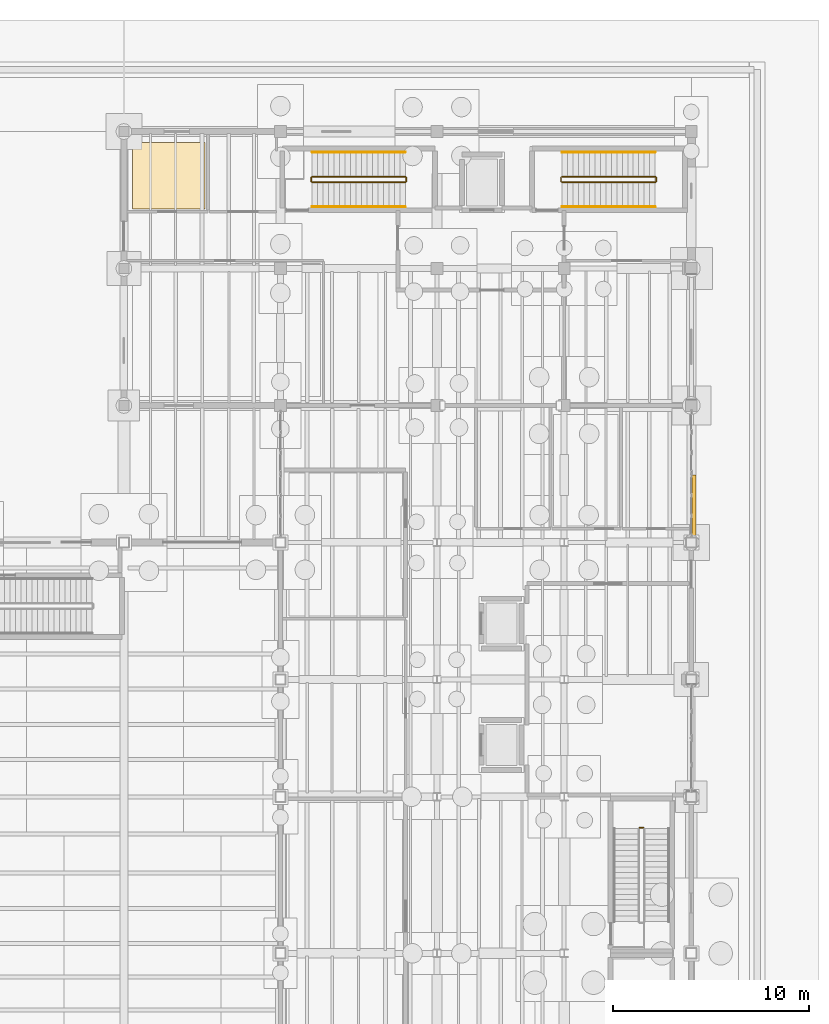
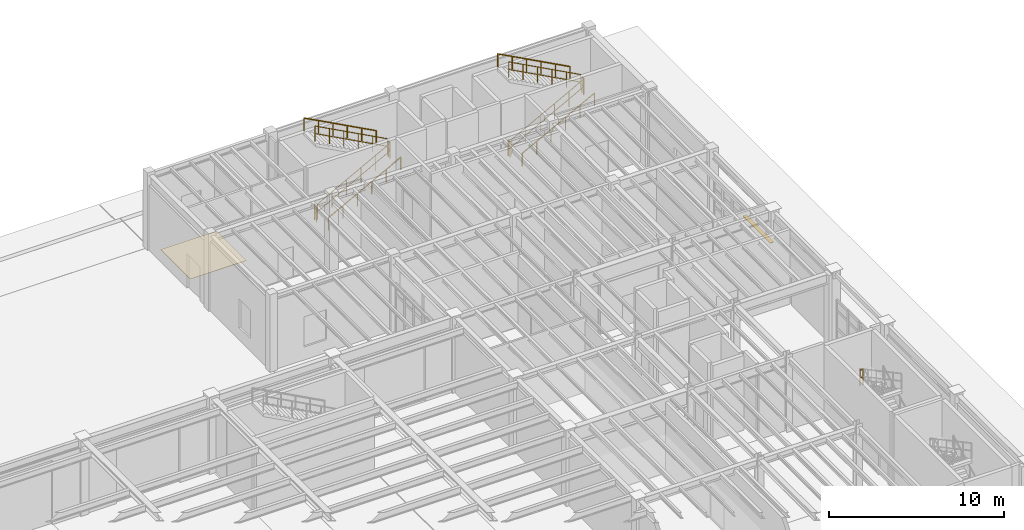
# One storey, part 85 of 86: 13 railings, 1 covering, 1 shading device.
"""IFC4 building model written with IfcOpenShell, lengths in metres."""

from ifc_helpers import new_model, si_unit, direction, frame, origin, origin_2d, place, context, subcontext, project, spatial, polyline, rectangle, circle, outline, extrude, material, layer, layer_set, type_object, element, save


model = new_model("IFC4")

# Units and contexts
model_context = context("Model", 3, precision=1e-05, world=origin(), true_north=direction((0.0, 1.0)))
body_context = subcontext(model_context, "Body", "Model", "MODEL_VIEW")
ifc_project = project(units=[si_unit("LENGTHUNIT", "METRE"), si_unit("AREAUNIT", "SQUARE_METRE"), si_unit("VOLUMEUNIT", "CUBIC_METRE"), si_unit("PLANEANGLEUNIT", "RADIAN"), si_unit("MASSUNIT", "GRAM", prefix="KILO"), si_unit("THERMODYNAMICTEMPERATUREUNIT", "KELVIN"), si_unit("POWERUNIT", "WATT")], contexts=[model_context])

# Site, building, storey
site_placement = place(None, origin())
site = spatial("IfcSite", under=ifc_project, at=site_placement, CompositionType="ELEMENT")
building_placement = place(site_placement, origin())
building = spatial("IfcBuilding", under=site, at=building_placement, Name="Zhenchuan Central Fire Station", CompositionType="ELEMENT")
storey_placement = place(building_placement, frame((0.0, 0.0, 0.449951171875)))
storey = spatial("IfcBuildingStorey", under=building, at=storey_placement, Name="L01", CompositionType="ELEMENT", Elevation=0.449951171875)

# Covering
ifc_material_1 = material(Name="Heavy-duty slip-resistant ceramic tile flooring")
ifc_layer_1 = layer(ifc_material_1, 0.014892578125, Name="Heavy-duty slip-resistant ceramic tile flooring")
ifc_layer_set_1 = layer_set([ifc_layer_1], Name="Heavy-duty slip-resistant ceramic tile flooring")
covering_type = type_object("IfcCoveringType", Name="COV-FLR-RES", PredefinedType="FLOORING", material=ifc_layer_set_1)
covering_placement = place(storey_placement, origin())
element("IfcCovering", 1, at=covering_placement, inside=storey, type_object=covering_type, Name="Drill Tower Accessible WC L01 Ceramic Tile Flooring", PredefinedType="FLOORING", context=body_context, shape_type="SweptSolid", body=[
    extrude(outline(polyline([(132.449951171875, 52.550048828125), (136.14990234375, 52.550048828125), (136.14990234375, 55.949951171875), (132.449951171875, 55.949951171875), (132.449951171875, 52.550048828125)])), origin(), (0.0, 0.0, 1.0), 0.01513671875),
])

# Railings
ifc_material_2 = material(Name="Galvanised powder-coated steel", Category="steel")
railing_type_1 = type_object("IfcRailingType", Name="RL-ST-GRD", PredefinedType="GUARDRAIL", material=ifc_material_2)
railing_1_placement = place(storey_placement, frame((158.550048828125, 20.929931640625, 2.699951171875)))
element("IfcRailing", 2, at=railing_1_placement, inside=storey, type_object=railing_type_1, Name="L01 ST-11 stair guard 2", PredefinedType="GUARDRAIL", context=body_context, shape_type="SweptSolid", body=[
    extrude(circle(Radius=0.02392578125, at=origin_2d()), frame((0.0, 0.0, 1.076171875), z_axis=(-1.0, 0.0, 0.0), x_axis=(0.0, -1.0, 0.0)), (0.0, 0.0, 1.0), 0.199951171875),
    extrude(circle(Radius=0.02392578125, at=origin_2d()), frame((0.0, 0.0, 0.550048828125), z_axis=(-1.0, 0.0, 0.0), x_axis=(0.0, -1.0, 0.0)), (0.0, 0.0, 1.0), 0.199951171875),
    extrude(circle(Radius=0.02099609375, at=origin_2d()), origin(), (0.0, 0.0, 1.0), 1.052001953125),
    extrude(circle(Radius=0.02099609375, at=origin_2d()), frame((-0.199951171875, 0.0, 0.0)), (0.0, 0.0, 1.0), 1.052001953125),
])
railing_2_placement = place(storey_placement, frame((141.6201171875, 53.89990234375, 0.150146484375)))
element("IfcRailing", 3, at=railing_2_placement, inside=storey, type_object=railing_type_1, Name="L01 ST-12 stair guard 1", PredefinedType="GUARDRAIL", context=body_context, shape_type="SweptSolid", body=[
    extrude(circle(Radius=0.02392578125, at=origin_2d()), frame((0.0, 0.0, 1.076171875), z_axis=(0.881485347215, 0.0, 0.472211374965), x_axis=(0.0, 1.0, 0.0)), (0.0, 0.0, 1.0), 5.399658203125),
    extrude(circle(Radius=0.02392578125, at=origin_2d()), frame((0.0, 0.0, 0.550048828125), z_axis=(0.881485347215, 0.0, 0.472211374965), x_axis=(0.0, 1.0, 0.0)), (0.0, 0.0, 1.0), 5.399658203125),
    extrude(circle(Radius=0.02099609375, at=origin_2d()), origin(), (0.0, 0.0, 1.0), 1.052001953125),
    extrude(circle(Radius=0.02099609375, at=origin_2d()), frame((0.951904296875, 0.0, 0.510009765625)), (0.0, 0.0, 1.0), 1.052001953125),
    extrude(circle(Radius=0.02099609375, at=origin_2d()), frame((1.90380859375, 0.0, 1.02001953125)), (0.0, 0.0, 1.0), 1.052001953125),
    extrude(circle(Radius=0.02099609375, at=origin_2d()), frame((2.85595703125, 0.0, 1.52978515625)), (0.0, 0.0, 1.0), 1.052001953125),
    extrude(circle(Radius=0.02099609375, at=origin_2d()), frame((3.807861328125, 0.0, 2.039794921875)), (0.0, 0.0, 1.0), 1.052001953125),
    extrude(circle(Radius=0.02099609375, at=origin_2d()), frame((4.759765625, 0.0, 2.5498046875)), (0.0, 0.0, 1.0), 1.052001953125),
])
railing_3_placement = place(storey_placement, frame((146.429931640625, 53.949951171875, 2.699951171875)))
element("IfcRailing", 4, at=railing_3_placement, inside=storey, type_object=railing_type_1, Name="L01 ST-12 stair guard 2", PredefinedType="GUARDRAIL", context=body_context, shape_type="SweptSolid", body=[
    extrude(circle(Radius=0.02392578125, at=origin_2d()), frame((0.0, 0.0, 1.076171875), z_axis=(0.0, 1.0, 0.0), x_axis=(-1.0, 0.0, 0.0)), (0.0, 0.0, 1.0), 0.199951171875),
    extrude(circle(Radius=0.02392578125, at=origin_2d()), frame((0.0, 0.0, 0.550048828125), z_axis=(0.0, 1.0, 0.0), x_axis=(-1.0, 0.0, 0.0)), (0.0, 0.0, 1.0), 0.199951171875),
    extrude(circle(Radius=0.02099609375, at=origin_2d()), origin(), (0.0, 0.0, 1.0), 1.052001953125),
    extrude(circle(Radius=0.02099609375, at=origin_2d()), frame((0.0, 0.199951171875, 0.0)), (0.0, 0.0, 1.0), 1.052001953125),
])
railing_4_placement = place(storey_placement, frame((146.3798828125, 54.199951171875, 2.85009765625)))
element("IfcRailing", 5, at=railing_4_placement, inside=storey, type_object=railing_type_1, Name="L01 ST-12 stair guard 3", PredefinedType="GUARDRAIL", context=body_context, shape_type="SweptSolid", body=[
    extrude(circle(Radius=0.02392578125, at=origin_2d()), frame((0.0, 0.0, 1.076171875), z_axis=(-0.881466526851, 0.0, 0.472246505589), x_axis=(0.0, -1.0, 0.0)), (0.0, 0.0, 1.0), 5.39990234375),
    extrude(circle(Radius=0.02392578125, at=origin_2d()), frame((0.0, 0.0, 0.550048828125), z_axis=(-0.881466526851, 0.0, 0.472246505589), x_axis=(0.0, -1.0, 0.0)), (0.0, 0.0, 1.0), 5.39990234375),
    extrude(circle(Radius=0.02099609375, at=origin_2d()), origin(), (0.0, 0.0, 1.0), 1.052001953125),
    extrude(circle(Radius=0.02099609375, at=origin_2d()), frame((-0.951904296875, 0.0, 0.510009765625)), (0.0, 0.0, 1.0), 1.052001953125),
    extrude(circle(Radius=0.02099609375, at=origin_2d()), frame((-1.90380859375, 0.0, 1.02001953125)), (0.0, 0.0, 1.0), 1.052001953125),
    extrude(circle(Radius=0.02099609375, at=origin_2d()), frame((-2.85595703125, 0.0, 1.530029296875)), (0.0, 0.0, 1.0), 1.052001953125),
    extrude(circle(Radius=0.02099609375, at=origin_2d()), frame((-3.807861328125, 0.0, 2.0400390625)), (0.0, 0.0, 1.0), 1.052001953125),
    extrude(circle(Radius=0.02099609375, at=origin_2d()), frame((-4.759765625, 0.0, 2.550048828125)), (0.0, 0.0, 1.0), 1.052001953125),
])
railing_5_placement = place(storey_placement, frame((141.570068359375, 53.949951171875, 0.0)))
element("IfcRailing", 6, at=railing_5_placement, inside=storey, type_object=railing_type_1, Name="L01 ST-12 stair guard 4", PredefinedType="GUARDRAIL", context=body_context, shape_type="SweptSolid", body=[
    extrude(circle(Radius=0.02392578125, at=origin_2d()), frame((0.0, 0.0, 1.076171875), z_axis=(0.0, 1.0, 0.0), x_axis=(-1.0, 0.0, 0.0)), (0.0, 0.0, 1.0), 0.199951171875),
    extrude(circle(Radius=0.02392578125, at=origin_2d()), frame((0.0, 0.0, 0.550048828125), z_axis=(0.0, 1.0, 0.0), x_axis=(-1.0, 0.0, 0.0)), (0.0, 0.0, 1.0), 0.199951171875),
    extrude(circle(Radius=0.02099609375, at=origin_2d()), origin(), (0.0, 0.0, 1.0), 1.052001953125),
    extrude(circle(Radius=0.02099609375, at=origin_2d()), frame((0.0, 0.199951171875, 0.0)), (0.0, 0.0, 1.0), 1.052001953125),
])
railing_6_placement = place(storey_placement, frame((154.389892578125, 53.89990234375, 0.150146484375)))
element("IfcRailing", 7, at=railing_6_placement, inside=storey, type_object=railing_type_1, Name="L01 ST-13 stair guard 1", PredefinedType="GUARDRAIL", context=body_context, shape_type="SweptSolid", body=[
    extrude(circle(Radius=0.02392578125, at=origin_2d()), frame((0.0, 0.0, 1.076171875), z_axis=(0.881495428514, 0.0, 0.472192555542), x_axis=(0.0, 1.0, 0.0)), (0.0, 0.0, 1.0), 5.39990234375),
    extrude(circle(Radius=0.02392578125, at=origin_2d()), frame((0.0, 0.0, 0.550048828125), z_axis=(0.881495428514, 0.0, 0.472192555542), x_axis=(0.0, 1.0, 0.0)), (0.0, 0.0, 1.0), 5.39990234375),
    extrude(circle(Radius=0.02099609375, at=origin_2d()), origin(), (0.0, 0.0, 1.0), 1.052001953125),
    extrude(circle(Radius=0.02099609375, at=origin_2d()), frame((0.951904296875, 0.0, 0.510009765625)), (0.0, 0.0, 1.0), 1.052001953125),
    extrude(circle(Radius=0.02099609375, at=origin_2d()), frame((1.904052734375, 0.0, 1.02001953125)), (0.0, 0.0, 1.0), 1.052001953125),
    extrude(circle(Radius=0.02099609375, at=origin_2d()), frame((2.85595703125, 0.0, 1.52978515625)), (0.0, 0.0, 1.0), 1.052001953125),
    extrude(circle(Radius=0.02099609375, at=origin_2d()), frame((3.80810546875, 0.0, 2.039794921875)), (0.0, 0.0, 1.0), 1.052001953125),
    extrude(circle(Radius=0.02099609375, at=origin_2d()), frame((4.760009765625, 0.0, 2.5498046875)), (0.0, 0.0, 1.0), 1.052001953125),
])
railing_7_placement = place(storey_placement, frame((159.199951171875, 53.949951171875, 2.699951171875)))
element("IfcRailing", 8, at=railing_7_placement, inside=storey, type_object=railing_type_1, Name="L01 ST-13 stair guard 2", PredefinedType="GUARDRAIL", context=body_context, shape_type="SweptSolid", body=[
    extrude(circle(Radius=0.02392578125, at=origin_2d()), frame((0.0, 0.0, 1.076171875), z_axis=(0.0, 1.0, 0.0), x_axis=(-1.0, 0.0, 0.0)), (0.0, 0.0, 1.0), 0.199951171875),
    extrude(circle(Radius=0.02392578125, at=origin_2d()), frame((0.0, 0.0, 0.550048828125), z_axis=(0.0, 1.0, 0.0), x_axis=(-1.0, 0.0, 0.0)), (0.0, 0.0, 1.0), 0.199951171875),
    extrude(circle(Radius=0.02099609375, at=origin_2d()), origin(), (0.0, 0.0, 1.0), 1.052001953125),
    extrude(circle(Radius=0.02099609375, at=origin_2d()), frame((0.0, 0.199951171875, 0.0)), (0.0, 0.0, 1.0), 1.052001953125),
])
railing_8_placement = place(storey_placement, frame((159.14990234375, 54.199951171875, 2.85009765625)))
element("IfcRailing", 9, at=railing_8_placement, inside=storey, type_object=railing_type_1, Name="L01 ST-13 stair guard 3", PredefinedType="GUARDRAIL", context=body_context, shape_type="SweptSolid", body=[
    extrude(circle(Radius=0.02392578125, at=origin_2d()), frame((0.0, 0.0, 1.076171875), z_axis=(-0.881476609435, 0.0, 0.47222768557), x_axis=(0.0, -1.0, 0.0)), (0.0, 0.0, 1.0), 5.400146484375),
    extrude(circle(Radius=0.02392578125, at=origin_2d()), frame((0.0, 0.0, 0.550048828125), z_axis=(-0.881476609435, 0.0, 0.47222768557), x_axis=(0.0, -1.0, 0.0)), (0.0, 0.0, 1.0), 5.400146484375),
    extrude(circle(Radius=0.02099609375, at=origin_2d()), origin(), (0.0, 0.0, 1.0), 1.052001953125),
    extrude(circle(Radius=0.02099609375, at=origin_2d()), frame((-0.951904296875, 0.0, 0.510009765625)), (0.0, 0.0, 1.0), 1.052001953125),
    extrude(circle(Radius=0.02099609375, at=origin_2d()), frame((-1.904052734375, 0.0, 1.02001953125)), (0.0, 0.0, 1.0), 1.052001953125),
    extrude(circle(Radius=0.02099609375, at=origin_2d()), frame((-2.85595703125, 0.0, 1.530029296875)), (0.0, 0.0, 1.0), 1.052001953125),
    extrude(circle(Radius=0.02099609375, at=origin_2d()), frame((-3.80810546875, 0.0, 2.0400390625)), (0.0, 0.0, 1.0), 1.052001953125),
    extrude(circle(Radius=0.02099609375, at=origin_2d()), frame((-4.760009765625, 0.0, 2.550048828125)), (0.0, 0.0, 1.0), 1.052001953125),
])
railing_9_placement = place(storey_placement, frame((154.340087890625, 53.949951171875, 0.0)))
element("IfcRailing", 10, at=railing_9_placement, inside=storey, type_object=railing_type_1, Name="L01 ST-13 stair guard 4", PredefinedType="GUARDRAIL", context=body_context, shape_type="SweptSolid", body=[
    extrude(circle(Radius=0.02392578125, at=origin_2d()), frame((0.0, 0.0, 1.076171875), z_axis=(0.0, 1.0, 0.0), x_axis=(-1.0, 0.0, 0.0)), (0.0, 0.0, 1.0), 0.199951171875),
    extrude(circle(Radius=0.02392578125, at=origin_2d()), frame((0.0, 0.0, 0.550048828125), z_axis=(0.0, 1.0, 0.0), x_axis=(-1.0, 0.0, 0.0)), (0.0, 0.0, 1.0), 0.199951171875),
    extrude(circle(Radius=0.02099609375, at=origin_2d()), origin(), (0.0, 0.0, 1.0), 1.052001953125),
    extrude(circle(Radius=0.02099609375, at=origin_2d()), frame((0.0, 0.199951171875, 0.0)), (0.0, 0.0, 1.0), 1.052001953125),
])
ifc_material_3 = material(Name="Brushed stainless steel handrail", Category="steel")
railing_type_2 = type_object("IfcRailingType", Name="RL-ST-HND", PredefinedType="HANDRAIL", material=ifc_material_3)
railing_10_placement = place(storey_placement, frame((141.6201171875, 52.64990234375, 0.150146484375)))
element("IfcRailing", 11, at=railing_10_placement, inside=storey, type_object=railing_type_2, Name="L01 ST-12 stair handrail 1", PredefinedType="HANDRAIL", context=body_context, shape_type="SweptSolid", body=[
    extrude(circle(Radius=0.02392578125, at=origin_2d()), frame((0.0, 0.0, 0.8759765625), z_axis=(0.881485347215, 0.0, 0.472211374965), x_axis=(0.0, 1.0, 0.0)), (0.0, 0.0, 1.0), 5.399658203125),
    extrude(circle(Radius=0.02099609375, at=origin_2d()), origin(), (0.0, 0.0, 1.0), 0.851806640625),
    extrude(circle(Radius=0.02099609375, at=origin_2d()), frame((0.951904296875, 0.0, 0.510009765625)), (0.0, 0.0, 1.0), 0.851806640625),
    extrude(circle(Radius=0.02099609375, at=origin_2d()), frame((1.90380859375, 0.0, 1.02001953125)), (0.0, 0.0, 1.0), 0.851806640625),
    extrude(circle(Radius=0.02099609375, at=origin_2d()), frame((2.85595703125, 0.0, 1.52978515625)), (0.0, 0.0, 1.0), 0.851806640625),
    extrude(circle(Radius=0.02099609375, at=origin_2d()), frame((3.807861328125, 0.0, 2.039794921875)), (0.0, 0.0, 1.0), 0.851806640625),
    extrude(circle(Radius=0.02099609375, at=origin_2d()), frame((4.759765625, 0.0, 2.5498046875)), (0.0, 0.0, 1.0), 0.851806640625),
])
railing_11_placement = place(storey_placement, frame((146.3798828125, 55.449951171875, 2.85009765625)))
element("IfcRailing", 12, at=railing_11_placement, inside=storey, type_object=railing_type_2, Name="L01 ST-12 stair handrail 2", PredefinedType="HANDRAIL", context=body_context, shape_type="SweptSolid", body=[
    extrude(circle(Radius=0.02392578125, at=origin_2d()), frame((0.0, 0.0, 0.8759765625), z_axis=(-0.881466526851, 0.0, 0.472246505589), x_axis=(0.0, -1.0, 0.0)), (0.0, 0.0, 1.0), 5.39990234375),
    extrude(circle(Radius=0.02099609375, at=origin_2d()), origin(), (0.0, 0.0, 1.0), 0.851806640625),
    extrude(circle(Radius=0.02099609375, at=origin_2d()), frame((-0.951904296875, 0.0, 0.510009765625)), (0.0, 0.0, 1.0), 0.851806640625),
    extrude(circle(Radius=0.02099609375, at=origin_2d()), frame((-1.90380859375, 0.0, 1.02001953125)), (0.0, 0.0, 1.0), 0.851806640625),
    extrude(circle(Radius=0.02099609375, at=origin_2d()), frame((-2.85595703125, 0.0, 1.530029296875)), (0.0, 0.0, 1.0), 0.851806640625),
    extrude(circle(Radius=0.02099609375, at=origin_2d()), frame((-3.807861328125, 0.0, 2.0400390625)), (0.0, 0.0, 1.0), 0.851806640625),
    extrude(circle(Radius=0.02099609375, at=origin_2d()), frame((-4.759765625, 0.0, 2.550048828125)), (0.0, 0.0, 1.0), 0.851806640625),
])
railing_12_placement = place(storey_placement, frame((154.389892578125, 52.64990234375, 0.150146484375)))
element("IfcRailing", 13, at=railing_12_placement, inside=storey, type_object=railing_type_2, Name="L01 ST-13 stair handrail 1", PredefinedType="HANDRAIL", context=body_context, shape_type="SweptSolid", body=[
    extrude(circle(Radius=0.02392578125, at=origin_2d()), frame((0.0, 0.0, 0.8759765625), z_axis=(0.881495428514, 0.0, 0.472192555542), x_axis=(0.0, 1.0, 0.0)), (0.0, 0.0, 1.0), 5.39990234375),
    extrude(circle(Radius=0.02099609375, at=origin_2d()), origin(), (0.0, 0.0, 1.0), 0.851806640625),
    extrude(circle(Radius=0.02099609375, at=origin_2d()), frame((0.951904296875, 0.0, 0.510009765625)), (0.0, 0.0, 1.0), 0.851806640625),
    extrude(circle(Radius=0.02099609375, at=origin_2d()), frame((1.904052734375, 0.0, 1.02001953125)), (0.0, 0.0, 1.0), 0.851806640625),
    extrude(circle(Radius=0.02099609375, at=origin_2d()), frame((2.85595703125, 0.0, 1.52978515625)), (0.0, 0.0, 1.0), 0.851806640625),
    extrude(circle(Radius=0.02099609375, at=origin_2d()), frame((3.80810546875, 0.0, 2.039794921875)), (0.0, 0.0, 1.0), 0.851806640625),
    extrude(circle(Radius=0.02099609375, at=origin_2d()), frame((4.760009765625, 0.0, 2.5498046875)), (0.0, 0.0, 1.0), 0.851806640625),
])
railing_13_placement = place(storey_placement, frame((159.14990234375, 55.449951171875, 2.85009765625)))
element("IfcRailing", 14, at=railing_13_placement, inside=storey, type_object=railing_type_2, Name="L01 ST-13 stair handrail 2", PredefinedType="HANDRAIL", context=body_context, shape_type="SweptSolid", body=[
    extrude(circle(Radius=0.02392578125, at=origin_2d()), frame((0.0, 0.0, 0.8759765625), z_axis=(-0.881476609435, 0.0, 0.47222768557), x_axis=(0.0, -1.0, 0.0)), (0.0, 0.0, 1.0), 5.400146484375),
    extrude(circle(Radius=0.02099609375, at=origin_2d()), origin(), (0.0, 0.0, 1.0), 0.851806640625),
    extrude(circle(Radius=0.02099609375, at=origin_2d()), frame((-0.951904296875, 0.0, 0.510009765625)), (0.0, 0.0, 1.0), 0.851806640625),
    extrude(circle(Radius=0.02099609375, at=origin_2d()), frame((-1.904052734375, 0.0, 1.02001953125)), (0.0, 0.0, 1.0), 0.851806640625),
    extrude(circle(Radius=0.02099609375, at=origin_2d()), frame((-2.85595703125, 0.0, 1.530029296875)), (0.0, 0.0, 1.0), 0.851806640625),
    extrude(circle(Radius=0.02099609375, at=origin_2d()), frame((-3.80810546875, 0.0, 2.0400390625)), (0.0, 0.0, 1.0), 0.851806640625),
    extrude(circle(Radius=0.02099609375, at=origin_2d()), frame((-4.760009765625, 0.0, 2.550048828125)), (0.0, 0.0, 1.0), 0.851806640625),
])

# Shading device
ifc_material_4 = material(Name="Anodised aluminium EN AW-6063", Category="aluminium")
ifc_layer_2 = layer(ifc_material_4, 0.0400390625, Name="Anodised aluminium EN AW-6063", Category="aluminium")
ifc_layer_set_2 = layer_set([ifc_layer_2], Name="Anodised aluminium EN AW-6063")
shading_device_type = type_object("IfcShadingDeviceType", Name="SHD-ALU-FIN", PredefinedType="JALOUSIE", material=ifc_layer_set_2)
shading_device_placement = place(storey_placement, frame((161.138427734375, 37.381103515625, 2.629638671875), z_axis=(0.0, 0.0, 1.0), x_axis=(0.0, 1.0, 0.0)))
element("IfcShadingDevice", 15, at=shading_device_placement, inside=storey, type_object=shading_device_type, Name="Perforated Aluminium Sun-Shading Louvre 009", PredefinedType="JALOUSIE", context=body_context, shape_type="SweptSolid", body=[
    extrude(rectangle(XDim=3.1220703125, YDim=0.219970703125, at=origin_2d()), origin(), (0.0, 0.0, 1.0), 0.044921875),
])

save(model, "model.ifc")
